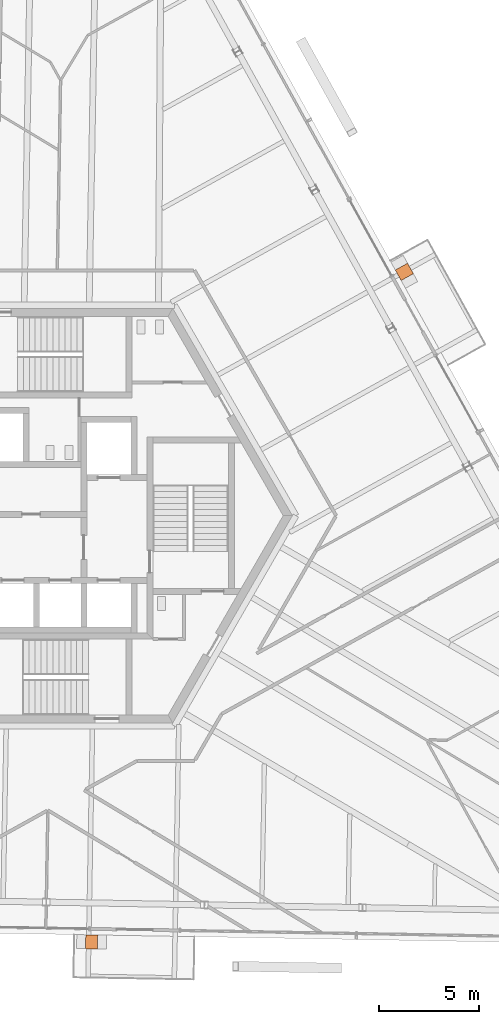
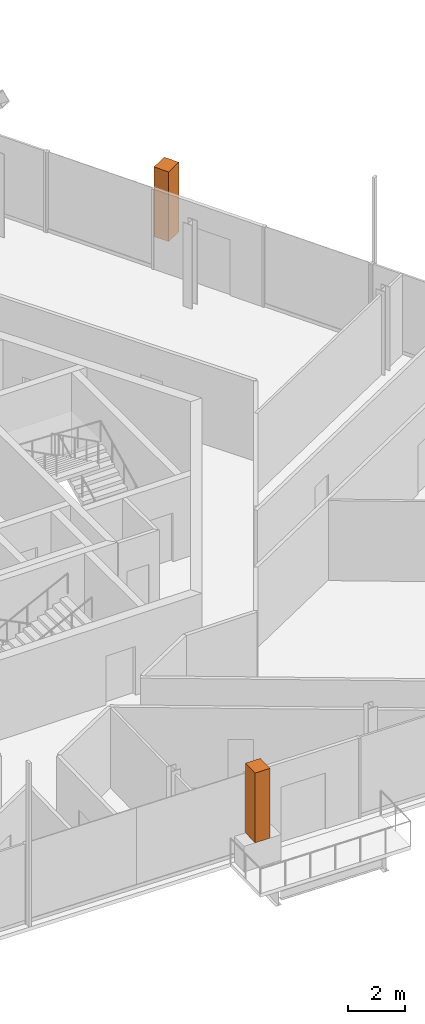
# One storey, part 21 of 21: 2 geographic elements.
"""IFC4 building model written with IfcOpenShell, lengths in metres."""

from ifc_helpers import new_model, si_unit, direction, frame, origin, origin_2d, place, context, subcontext, project, spatial, rectangle, extrude, source, transform, mapped, material, type_object, element, save


model = new_model("IFC4")

# Units and contexts
model_context = context("Model", 3, precision=1e-05, world=origin(), true_north=direction((0.0, 1.0)))
body_context = subcontext(model_context, "Body", "Model", "MODEL_VIEW")
ifc_project = project(units=[si_unit("LENGTHUNIT", "METRE"), si_unit("AREAUNIT", "SQUARE_METRE"), si_unit("VOLUMEUNIT", "CUBIC_METRE"), si_unit("PLANEANGLEUNIT", "RADIAN"), si_unit("MASSUNIT", "GRAM", prefix="KILO")], contexts=[model_context])

# Site, building, storey
site_placement = place(None, origin())
site = spatial("IfcSite", under=ifc_project, at=site_placement, CompositionType="ELEMENT")
building_placement = place(site_placement, origin())
building = spatial("IfcBuilding", under=site, at=building_placement, Name="Triune Harvest Tower", CompositionType="ELEMENT")
storey_placement = place(building_placement, frame((0.0, 0.0, 187.10009765625)))
storey = spatial("IfcBuildingStorey", under=building, at=storey_placement, Name="L48", CompositionType="ELEMENT", Elevation=187.10009765625)

# Geographic elements
ifc_material = material(Name="TREE-1 tree")
geographic_element_type = type_object("IfcGeographicElementType", Name="TREE-1 tree", PredefinedType="USERDEFINED", material=ifc_material)
shared_shape = source(origin(), body_context, "Body", "SweptSolid", [
    extrude(rectangle(XDim=0.60009765625, YDim=0.699951171875, at=origin_2d()), origin(), (0.0, 0.0, 1.0), 3.0),
])
for number, where, z_axis, x_axis, name in (
    (1, (17.610595703125, 12.219970703125, 1.099853515625), (0.0, 0.0, 1.0), (-0.48480848305, 0.874620337497, 0.0), "Tree B5-F1 L48.6b"),
    (2, (1.93798828125, -21.3642578125, 1.099853515625), (0.0, 0.0, 1.0), (0.999847708228, -0.017451657526, 0.0), "Tree B5-F5 L48.7a"),
):
    element("IfcGeographicElement", number, at=place(storey_placement, frame(where, z_axis=z_axis, x_axis=x_axis)), inside=storey, type_object=geographic_element_type, Name=name, ObjectType="TREE", PredefinedType="USERDEFINED", context=body_context, shape_type="MappedRepresentation", body=[
        mapped(shared_shape, transform((0.0, 0.0, 0.0), scale=1.0)),
    ])

save(model, "model.ifc")
